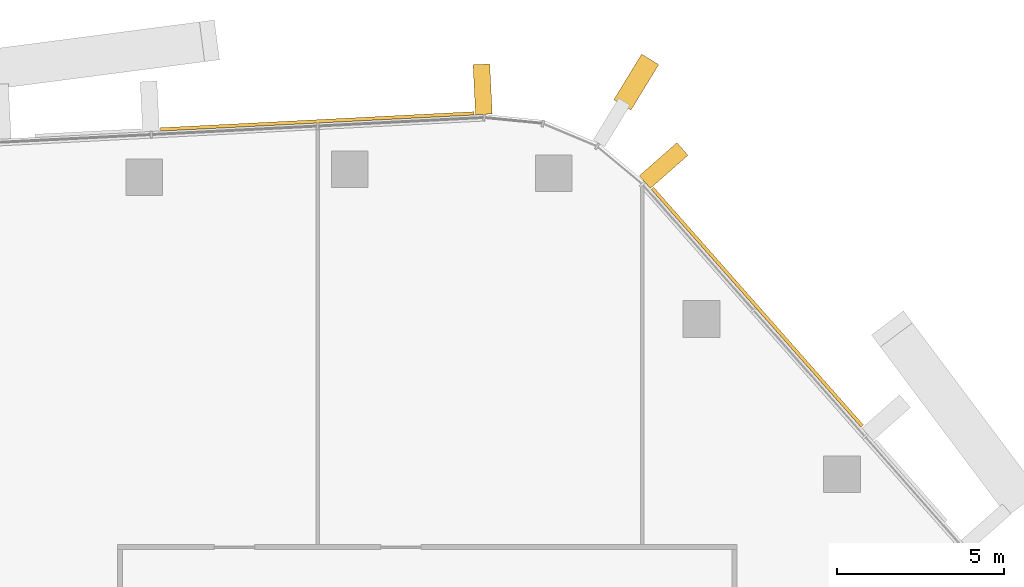
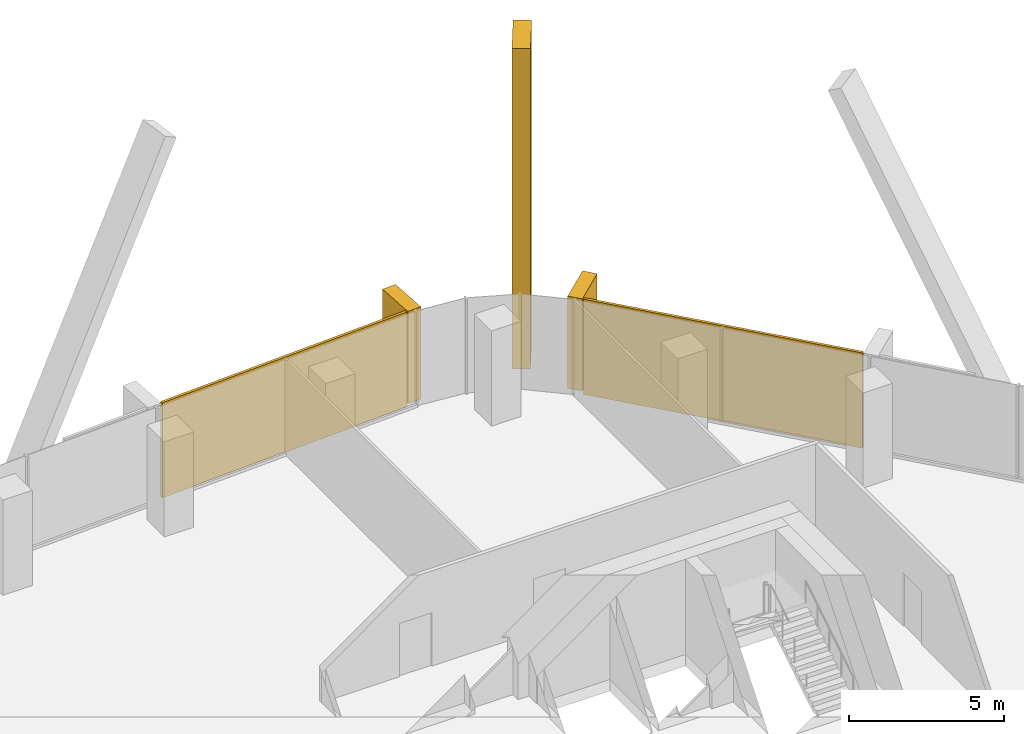
# One storey, part 20 of 20: 5 coverings, 3 elements without a shape of their own.
"""IFC4 building model written with IfcOpenShell, lengths in metres."""

from ifc_helpers import new_model, si_unit, direction, frame, origin, origin_2d, place, context, subcontext, project, spatial, rectangle, extrude, material, layer, layer_set, material_profile, profile_set, type_object, element, aggregate, save


model = new_model("IFC4")

# Units and contexts
model_context = context("Model", 3, precision=1e-05, world=origin(), true_north=direction((0.0, 1.0)))
body_context = subcontext(model_context, "Body", "Model", "MODEL_VIEW")
ifc_project = project(units=[si_unit("LENGTHUNIT", "METRE"), si_unit("AREAUNIT", "SQUARE_METRE"), si_unit("VOLUMEUNIT", "CUBIC_METRE"), si_unit("PLANEANGLEUNIT", "RADIAN"), si_unit("MASSUNIT", "GRAM", prefix="KILO")], contexts=[model_context])

# Site, building, storey
site_placement = place(None, origin())
site = spatial("IfcSite", under=ifc_project, at=site_placement, CompositionType="ELEMENT")
building_placement = place(site_placement, origin())
building = spatial("IfcBuilding", under=site, at=building_placement, Name="Dongbaek Canopy Tower", CompositionType="ELEMENT")
storey_placement = place(building_placement, frame((0.0, 0.0, 228.60009765625)))
storey = spatial("IfcBuildingStorey", under=building, at=storey_placement, Name="L47", CompositionType="ELEMENT", Elevation=228.60009765625)

# Curtain wall, covering
ifc_material_1 = material(Name="Aluminium 6063-T6 pale anodised", Category="aluminium")
ifc_layer_1 = layer(ifc_material_1, 0.199951171875)
ifc_layer_set_1 = layer_set([ifc_layer_1], Name="CW-1 unitised tower curtain wall")
curtain_wall_type = type_object("IfcCurtainWallType", Name="CW-1 unitised tower curtain wall", PredefinedType="NOTDEFINED", material=ifc_layer_set_1)
curtain_wall_1_placement = place(storey_placement, origin())
curtain_wall_1 = element("IfcCurtainWall", 1, at=curtain_wall_1_placement, inside=storey, type_object=curtain_wall_type, Name="CW-1 curtain wall K1.1", PredefinedType="NOTDEFINED")
ifc_material_2 = material(Name="Aluminium 6063-T6 pale metal fin", Category="aluminium")
ifc_material_profile_1 = material_profile(ifc_material_2, rectangle(XDim=1.60009765625, YDim=0.60009765625, at=origin_2d()), Name="Corner fin CN1 600 x 1600 pale metal")
ifc_profile_set_1 = profile_set([ifc_material_profile_1], Name="Aluminium 6063-T6 pale metal fin")
covering_type_1 = type_object("IfcCoveringType", Name="Corner fin CN1 600 x 1600 pale metal", PredefinedType="CLADDING", material=ifc_profile_set_1)
covering_1_placement = place(storey_placement, frame((13.46484375, 27.32275390625, -0.22509765625), z_axis=(0.0, 0.0, 1.0), x_axis=(0.521099012614, 0.853496232594, 0.0)))
covering_1 = element("IfcCovering", 2, at=covering_1_placement, type_object=covering_type_1, Name="Corner fin L47 L49 K1", PredefinedType="CLADDING", context=body_context, shape_type="SweptSolid", body=[
    extrude(rectangle(XDim=1.60009765625, YDim=0.60009765625, at=origin_2d()), origin(), (0.0, 0.0, 1.0), 12.614990234375),
])
aggregate(curtain_wall_1, [covering_1])

curtain_wall_2_placement = place(storey_placement, origin())
curtain_wall_2 = element("IfcCurtainWall", 3, at=curtain_wall_2_placement, inside=storey, type_object=curtain_wall_type, Name="CW-1 curtain wall F0.1", PredefinedType="NOTDEFINED")
ifc_material_3 = material(Name="Perforated aluminium 6063-T6 pale metal screen", Category="aluminium")
ifc_layer_2 = layer(ifc_material_3, 0.10009765625)
ifc_layer_set_2 = layer_set([ifc_layer_2], Name="Facet screen FS1 100 pale metal")
covering_type_2 = type_object("IfcCoveringType", Name="Facet screen FS1 100 pale metal", PredefinedType="CLADDING", material=ifc_layer_set_2)
covering_2_placement = place(storey_placement, frame((17.088134765625, 20.585205078125, 0.0), z_axis=(0.0, 0.0, 1.0), x_axis=(-0.6616312479, 0.749829375126, 0.0)))
covering_2 = element("IfcCovering", 4, at=covering_2_placement, type_object=covering_type_2, Name="Facet screen L47 F0", PredefinedType="CLADDING", context=body_context, shape_type="SweptSolid", body=[
    extrude(rectangle(XDim=9.49169921875, YDim=0.10009765625, at=origin_2d()), origin(), (0.0, 0.0, 1.0), 3.75),
])

curtain_wall_3_placement = place(storey_placement, origin())
curtain_wall_3 = element("IfcCurtainWall", 5, at=curtain_wall_3_placement, inside=storey, type_object=curtain_wall_type, Name="CW-1 curtain wall F1.1", PredefinedType="NOTDEFINED")
covering_3_placement = place(storey_placement, frame((3.91748046875, 26.149169921875, 0.0), z_axis=(0.0, 0.0, 1.0), x_axis=(-0.998689873476, -0.051171638795, 0.0)))
covering_3 = element("IfcCovering", 6, at=covering_3_placement, type_object=covering_type_2, Name="Facet screen L47 F1", PredefinedType="CLADDING", context=body_context, shape_type="SweptSolid", body=[
    extrude(rectangle(XDim=9.39990234375, YDim=0.10009765625, at=origin_2d()), origin(), (0.0, 0.0, 1.0), 3.75),
])

# Covering
ifc_material_4 = material(Name="Aluminium 6063-T6 pale metal fin", Category="aluminium")
ifc_material_profile_2 = material_profile(ifc_material_4, rectangle(XDim=1.5, YDim=0.5, at=origin_2d()), Name="Fin FN1 500 x 1500 pale metal")
ifc_profile_set_2 = profile_set([ifc_material_profile_2], Name="Aluminium 6063-T6 pale metal fin")
covering_type_3 = type_object("IfcCoveringType", Name="Fin FN1 500 x 1500 pale metal", PredefinedType="CLADDING", material=ifc_profile_set_2)
covering_4_placement = place(storey_placement, frame((14.2841796875, 24.8271484375, 0.119873046875), z_axis=(0.0, 0.0, 1.0), x_axis=(0.749829254199, 0.661631384947, 0.0)))
covering_4 = element("IfcCovering", 7, at=covering_4_placement, type_object=covering_type_3, Name="Fin F0.1.5", PredefinedType="CLADDING", context=body_context, shape_type="SweptSolid", body=[
    extrude(rectangle(XDim=1.5, YDim=0.5, at=origin_2d()), origin(), (0.0, 0.0, 1.0), 3.630126953125),
])

aggregate(curtain_wall_2, [covering_4, covering_2])

covering_5_placement = place(storey_placement, frame((8.864990234375, 27.107421875, 0.119873046875), z_axis=(0.0, 0.0, 1.0), x_axis=(-0.051171421559, 0.998689884607, 0.0)))
covering_5 = element("IfcCovering", 8, at=covering_5_placement, type_object=covering_type_3, Name="Fin F1.1.1", PredefinedType="CLADDING", context=body_context, shape_type="SweptSolid", body=[
    extrude(rectangle(XDim=1.5, YDim=0.5, at=origin_2d()), origin(), (0.0, 0.0, 1.0), 3.630126953125),
])

aggregate(curtain_wall_3, [covering_5, covering_3])

save(model, "model.ifc")
